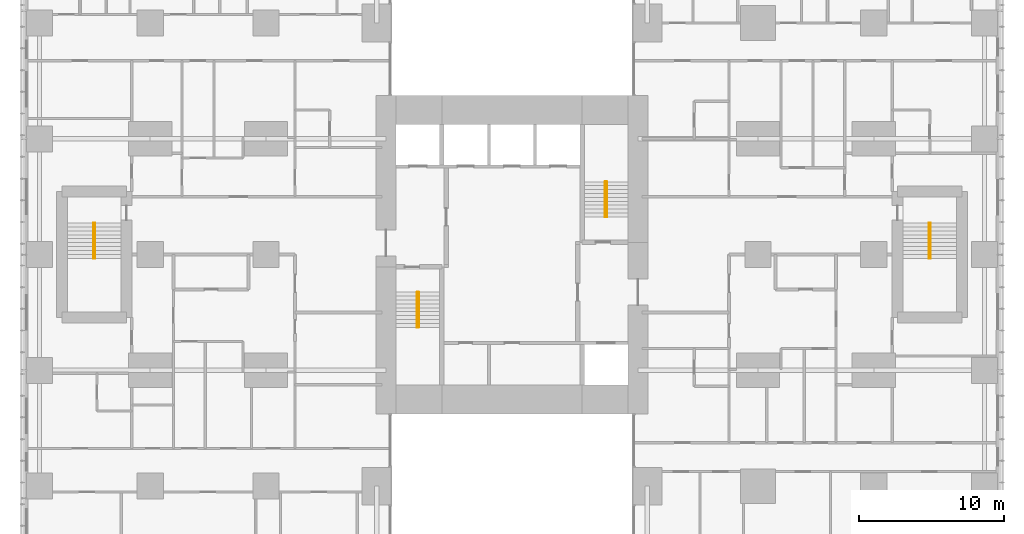
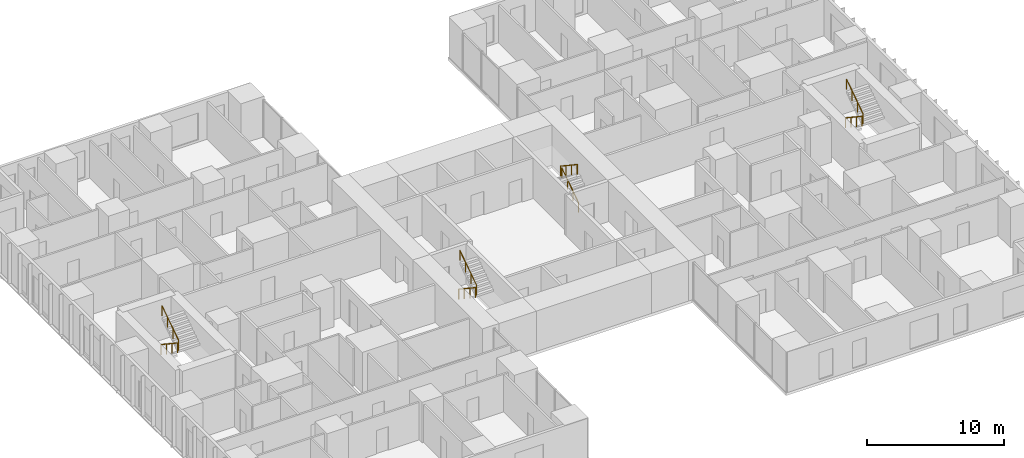
# One storey, part 20 of 20: 8 railings.
"""IFC4 building model written with IfcOpenShell, lengths in metres."""

from ifc_helpers import new_model, si_unit, direction, frame, origin, origin_2d, place, context, subcontext, project, spatial, circle, extrude, material, type_object, element, save


model = new_model("IFC4")

# Units and contexts
model_context = context("Model", 3, precision=1e-05, world=origin(), true_north=direction((0.0, 1.0)))
body_context = subcontext(model_context, "Body", "Model", "MODEL_VIEW")
ifc_project = project(units=[si_unit("LENGTHUNIT", "METRE"), si_unit("AREAUNIT", "SQUARE_METRE"), si_unit("VOLUMEUNIT", "CUBIC_METRE"), si_unit("PLANEANGLEUNIT", "RADIAN"), si_unit("MASSUNIT", "GRAM", prefix="KILO")], contexts=[model_context])

# Site, building, storey
site_placement = place(None, origin())
site = spatial("IfcSite", under=ifc_project, at=site_placement, CompositionType="ELEMENT")
building_placement = place(site_placement, origin())
building = spatial("IfcBuilding", under=site, at=building_placement, Name="Cleftline Residences", CompositionType="ELEMENT")
storey_placement = place(building_placement, frame((0.0, 0.0, 214.60009765625)))
storey = spatial("IfcBuildingStorey", under=building, at=storey_placement, Name="L56", CompositionType="ELEMENT", Elevation=214.60009765625)

# Railings
ifc_material = material(Name="Stainless steel", Category="steel")
railing_type = type_object("IfcRailingType", Name="HANDRAIL 900", PredefinedType="HANDRAIL", material=ifc_material)
railing_1_placement = place(storey_placement, frame((26.449951171875, 21.39990234375, 0.179931640625)))
element("IfcRailing", 1, at=railing_1_placement, inside=storey, type_object=railing_type, Name="Stair handrail", PredefinedType="HANDRAIL", context=body_context, shape_type="SweptSolid", body=[
    extrude(circle(Radius=0.02392578125, at=origin_2d()), frame((0.0, 0.0, 0.8759765625), z_axis=(0.0, -0.832063155534, 0.554680903946), x_axis=(1.0, 0.0, 0.0)), (0.0, 0.0, 1.0), 2.92041015625),
    extrude(circle(Radius=0.02099609375, at=origin_2d()), origin(), (0.0, 0.0, 1.0), 0.851806640625),
    extrude(circle(Radius=0.02099609375, at=origin_2d()), frame((0.0, -0.81005859375, 0.5400390625)), (0.0, 0.0, 1.0), 0.851806640625),
    extrude(circle(Radius=0.02099609375, at=origin_2d()), frame((0.0, -1.619873046875, 1.079833984375)), (0.0, 0.0, 1.0), 0.851806640625),
    extrude(circle(Radius=0.02099609375, at=origin_2d()), frame((0.0, -2.429931640625, 1.619873046875)), (0.0, 0.0, 1.0), 0.851806640625),
])
for number, where, name in (
    (2, (26.550048828125, 18.969970703125, 1.97998046875), "Stair handrail"),
    (3, (39.550048828125, 26.60009765625, 0.179931640625), "Stair handrail"),
):
    element("IfcRailing", number, at=place(storey_placement, frame(where)), inside=storey, type_object=railing_type, Name=name, PredefinedType="HANDRAIL", context=body_context, shape_type="SweptSolid", body=[
        extrude(circle(Radius=0.02392578125, at=origin_2d()), frame((0.0, 0.0, 0.8759765625), z_axis=(0.0, 0.832063155534, 0.554680903946), x_axis=(-1.0, 0.0, 0.0)), (0.0, 0.0, 1.0), 2.92041015625),
        extrude(circle(Radius=0.02099609375, at=origin_2d()), origin(), (0.0, 0.0, 1.0), 0.851806640625),
        extrude(circle(Radius=0.02099609375, at=origin_2d()), frame((0.0, 0.81005859375, 0.5400390625)), (0.0, 0.0, 1.0), 0.851806640625),
        extrude(circle(Radius=0.02099609375, at=origin_2d()), frame((0.0, 1.619873046875, 1.079833984375)), (0.0, 0.0, 1.0), 0.851806640625),
        extrude(circle(Radius=0.02099609375, at=origin_2d()), frame((0.0, 2.429931640625, 1.619873046875)), (0.0, 0.0, 1.0), 0.851806640625),
    ])
for number, where, name in (
    (4, (39.449951171875, 29.030029296875, 1.97998046875), "Stair handrail"),
    (5, (61.824951171875, 26.175048828125, 0.179931640625), "Stair handrail"),
):
    element("IfcRailing", number, at=place(storey_placement, frame(where)), inside=storey, type_object=railing_type, Name=name, PredefinedType="HANDRAIL", context=body_context, shape_type="SweptSolid", body=[
        extrude(circle(Radius=0.02392578125, at=origin_2d()), frame((0.0, 0.0, 0.8759765625), z_axis=(0.0, -0.832063155534, 0.554680903946), x_axis=(1.0, 0.0, 0.0)), (0.0, 0.0, 1.0), 2.92041015625),
        extrude(circle(Radius=0.02099609375, at=origin_2d()), origin(), (0.0, 0.0, 1.0), 0.851806640625),
        extrude(circle(Radius=0.02099609375, at=origin_2d()), frame((0.0, -0.81005859375, 0.5400390625)), (0.0, 0.0, 1.0), 0.851806640625),
        extrude(circle(Radius=0.02099609375, at=origin_2d()), frame((0.0, -1.619873046875, 1.079833984375)), (0.0, 0.0, 1.0), 0.851806640625),
        extrude(circle(Radius=0.02099609375, at=origin_2d()), frame((0.0, -2.429931640625, 1.619873046875)), (0.0, 0.0, 1.0), 0.851806640625),
    ])
railing_2_placement = place(storey_placement, frame((61.925048828125, 23.7451171875, 1.97998046875)))
element("IfcRailing", 6, at=railing_2_placement, inside=storey, type_object=railing_type, Name="Stair handrail", PredefinedType="HANDRAIL", context=body_context, shape_type="SweptSolid", body=[
    extrude(circle(Radius=0.02392578125, at=origin_2d()), frame((0.0, 0.0, 0.8759765625), z_axis=(0.0, 0.832063155534, 0.554680903946), x_axis=(-1.0, 0.0, 0.0)), (0.0, 0.0, 1.0), 2.92041015625),
    extrude(circle(Radius=0.02099609375, at=origin_2d()), origin(), (0.0, 0.0, 1.0), 0.851806640625),
    extrude(circle(Radius=0.02099609375, at=origin_2d()), frame((0.0, 0.81005859375, 0.5400390625)), (0.0, 0.0, 1.0), 0.851806640625),
    extrude(circle(Radius=0.02099609375, at=origin_2d()), frame((0.0, 1.619873046875, 1.079833984375)), (0.0, 0.0, 1.0), 0.851806640625),
    extrude(circle(Radius=0.02099609375, at=origin_2d()), frame((0.0, 2.429931640625, 1.619873046875)), (0.0, 0.0, 1.0), 0.851806640625),
])
railing_3_placement = place(storey_placement, frame((4.074951171875, 26.175048828125, 0.179931640625)))
element("IfcRailing", 7, at=railing_3_placement, inside=storey, type_object=railing_type, Name="Stair handrail", PredefinedType="HANDRAIL", context=body_context, shape_type="SweptSolid", body=[
    extrude(circle(Radius=0.02392578125, at=origin_2d()), frame((0.0, 0.0, 0.8759765625), z_axis=(0.0, -0.832063155534, 0.554680903946), x_axis=(1.0, 0.0, 0.0)), (0.0, 0.0, 1.0), 2.92041015625),
    extrude(circle(Radius=0.02099609375, at=origin_2d()), origin(), (0.0, 0.0, 1.0), 0.851806640625),
    extrude(circle(Radius=0.02099609375, at=origin_2d()), frame((0.0, -0.81005859375, 0.5400390625)), (0.0, 0.0, 1.0), 0.851806640625),
    extrude(circle(Radius=0.02099609375, at=origin_2d()), frame((0.0, -1.619873046875, 1.079833984375)), (0.0, 0.0, 1.0), 0.851806640625),
    extrude(circle(Radius=0.02099609375, at=origin_2d()), frame((0.0, -2.429931640625, 1.619873046875)), (0.0, 0.0, 1.0), 0.851806640625),
])
railing_4_placement = place(storey_placement, frame((4.175048828125, 23.7451171875, 1.97998046875)))
element("IfcRailing", 8, at=railing_4_placement, inside=storey, type_object=railing_type, Name="Stair handrail", PredefinedType="HANDRAIL", context=body_context, shape_type="SweptSolid", body=[
    extrude(circle(Radius=0.02392578125, at=origin_2d()), frame((0.0, 0.0, 0.8759765625), z_axis=(0.0, 0.832063155534, 0.554680903946), x_axis=(-1.0, 0.0, 0.0)), (0.0, 0.0, 1.0), 2.92041015625),
    extrude(circle(Radius=0.02099609375, at=origin_2d()), origin(), (0.0, 0.0, 1.0), 0.851806640625),
    extrude(circle(Radius=0.02099609375, at=origin_2d()), frame((0.0, 0.81005859375, 0.5400390625)), (0.0, 0.0, 1.0), 0.851806640625),
    extrude(circle(Radius=0.02099609375, at=origin_2d()), frame((0.0, 1.619873046875, 1.079833984375)), (0.0, 0.0, 1.0), 0.851806640625),
    extrude(circle(Radius=0.02099609375, at=origin_2d()), frame((0.0, 2.429931640625, 1.619873046875)), (0.0, 0.0, 1.0), 0.851806640625),
])

save(model, "model.ifc")
